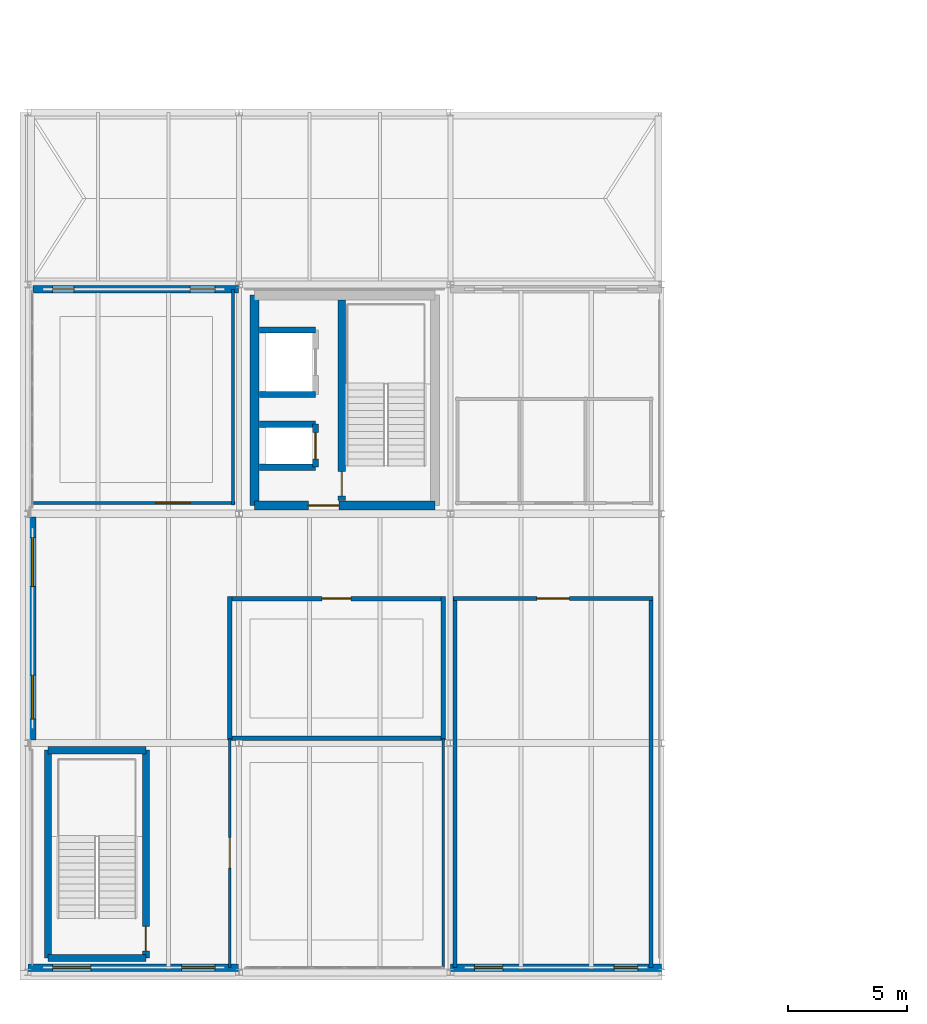
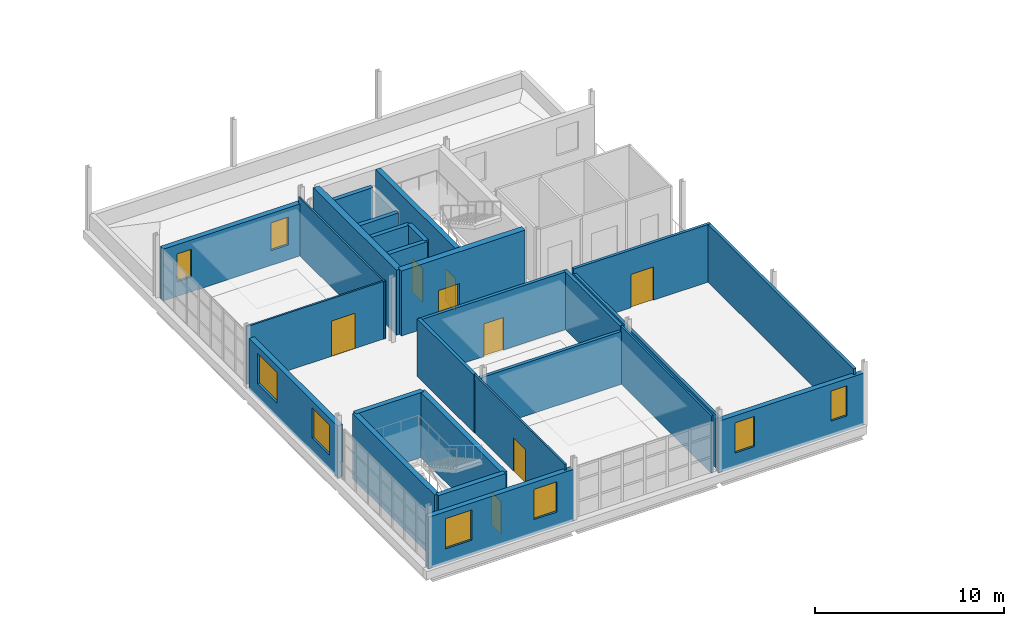
# One storey, part 21 of 28: 27 walls, 8 doors, 8 windows, 16 openings.
"""IFC4 building model written with IfcOpenShell, lengths in metres."""

import ifcopenshell
import ifcopenshell.guid

model = None  # the IFC model being written
_history = None  # IfcOwnerHistory: only IFC2X3 demands one
_inside = {}  # id of a spatial element -> (the spatial element, [elements in it])
_under = {}  # id of a project, library or spatial element -> (it, [spatial elements below it])
_declared = {}  # id of a project -> (the project, [libraries it declares])
_typed = {}  # id of a type object -> (the type object, [elements of that type])
_made_of = {}  # id of a material, layer set ... -> (it, [elements and type objects made of it])


def new_model(schema):
    """Start an empty IFC model of exactly this schema.

    Asked for "IFC4X3", IfcOpenShell would pick the latest addendum, in which some entities
    have other attributes; the version numbers below select the first issue.
    IFC2X3 requires an IfcOwnerHistory on every rooted entity: one is made here for all.
    """
    global model, _history
    if schema == "IFC4X3":
        model = ifcopenshell.file(schema_version=(4, 3, 0, 0))
    else:
        model = ifcopenshell.file(schema=schema)
    _inside.clear()
    _under.clear()
    _declared.clear()
    _typed.clear()
    _made_of.clear()
    _history = None
    if model.schema == "IFC2X3":
        org = make("IfcOrganization", Name="unknown")
        user = make(
            "IfcPersonAndOrganization",
            ThePerson=make("IfcPerson", FamilyName="unknown"),
            TheOrganization=org,
        )
        app = make(
            "IfcApplication",
            ApplicationDeveloper=org,
            Version="unknown",
            ApplicationFullName="unknown",
            ApplicationIdentifier="unknown",
        )
        _history = make(
            "IfcOwnerHistory",
            OwningUser=user,
            OwningApplication=app,
            ChangeAction="ADDED",
            CreationDate=0,
        )
    return model


def make(cls, **values):
    """One entity of the class cls with the attributes given. An attribute that is None is left unset."""
    return model.create_entity(
        cls, **{name: value for name, value in values.items() if value is not None}
    )


def rooted(cls, **values):
    """An entity with a GlobalId (a new one), such as an element, a storey or a relation."""
    return make(cls, GlobalId=ifcopenshell.guid.new(), OwnerHistory=_history, **values)


def si_unit(unit_type, name, prefix=None):
    """IfcSIUnit, for example si_unit("LENGTHUNIT", "METRE", prefix="MILLI")."""
    return make("IfcSIUnit", UnitType=unit_type, Prefix=prefix, Name=name)


def assignment(units):
    """IfcUnitAssignment: the units of a project."""
    return None if units is None else make("IfcUnitAssignment", Units=units)


def point(xyz):
    """IfcCartesianPoint."""
    return None if xyz is None else make("IfcCartesianPoint", Coordinates=xyz)


def direction(xyz):
    """IfcDirection."""
    return None if xyz is None else make("IfcDirection", DirectionRatios=xyz)


def frame(location, z_axis=None, x_axis=None):
    """IfcAxis2Placement3D, a coordinate frame: its origin and axes. An axis left out is left unset."""
    return make(
        "IfcAxis2Placement3D",
        Location=point(location),
        Axis=direction(z_axis),
        RefDirection=direction(x_axis),
    )


def frame_2d(location, x_axis=None):
    """IfcAxis2Placement2D, a coordinate frame in the plane: its origin and x axis."""
    return make(
        "IfcAxis2Placement2D", Location=point(location), RefDirection=direction(x_axis)
    )


def origin():
    """The frame at (0, 0, 0) with its axes left unset."""
    return frame((0.0, 0.0, 0.0))


def place(relative_to, where):
    """IfcLocalPlacement: puts the frame where relative to a parent placement (None: the world)."""
    return make(
        "IfcLocalPlacement", PlacementRelTo=relative_to, RelativePlacement=where
    )


def context(
    kind, dimensions, precision=None, world=None, true_north=None, identifier=None
):
    """IfcGeometricRepresentationContext, for example the 3D "Model" context."""
    return make(
        "IfcGeometricRepresentationContext",
        ContextIdentifier=identifier,
        ContextType=kind,
        CoordinateSpaceDimension=dimensions,
        Precision=precision,
        WorldCoordinateSystem=world,
        TrueNorth=true_north,
    )


def subcontext(parent, identifier, kind, view, scale=None):
    """IfcGeometricRepresentationSubContext, for example "Body" below "Model"."""
    return make(
        "IfcGeometricRepresentationSubContext",
        ContextIdentifier=identifier,
        ContextType=kind,
        ParentContext=parent,
        TargetScale=scale,
        TargetView=view,
    )


def project(units=None, contexts=None):
    """IfcProject with its units and contexts."""
    return rooted(
        "IfcProject",
        Name="project",
        RepresentationContexts=contexts,
        UnitsInContext=assignment(units),
    )


def spatial(cls, under=None, at=None, **own):
    """A site, building, storey or space (cls), placed at a placement, below another one or the project."""
    s = rooted(cls, ObjectPlacement=at, **own)
    if under is not None:
        _under.setdefault(under.id(), (under, []))[1].append(s)
    return s


def profile(cls, at=None, kind="AREA", **sizes):
    """A parametric profile (cls). Its sizes go by their IFC names, for example OverallWidth=200.0."""
    return make(cls, ProfileType=kind, Position=at, **sizes)


def rectangle(**sizes):
    """IfcRectangleProfileDef."""
    return profile("IfcRectangleProfileDef", **sizes)


def extrude(swept, where, along, depth):
    """IfcExtrudedAreaSolid: the profile swept, set in the frame where, extruded along a direction by depth."""
    return make(
        "IfcExtrudedAreaSolid",
        SweptArea=swept,
        Position=where,
        ExtrudedDirection=direction(along),
        Depth=depth,
    )


def shape(context_of_items, identifier, shape_type, items):
    """IfcShapeRepresentation: the items that make up one representation, for example the "Body"."""
    return make(
        "IfcShapeRepresentation",
        ContextOfItems=context_of_items,
        RepresentationIdentifier=identifier,
        RepresentationType=shape_type,
        Items=items,
    )


def material(Name=None, Category=None):
    """IfcMaterial."""
    return make("IfcMaterial", Name=Name, Category=Category)


def layer(
    of_material, thickness, ventilated=None, Name=None, Category=None, Priority=None
):
    """IfcMaterialLayer: one layer of a wall or slab, of a material (None: an air gap)."""
    return make(
        "IfcMaterialLayer",
        Material=of_material,
        LayerThickness=thickness,
        IsVentilated=ventilated,
        Name=Name,
        Category=Category,
        Priority=Priority,
    )


def layer_set(layers, Name=None):
    """IfcMaterialLayerSet."""
    return make("IfcMaterialLayerSet", MaterialLayers=layers, LayerSetName=Name)


def made_of(thing, what):
    """Note that an element or type object is made of a material, layer set ...; save() writes the relation."""
    if what is not None:
        _made_of.setdefault(what.id(), (what, []))[1].append(thing)
    return thing


def type_object(cls, material=None, **own):
    """A type object (cls), such as IfcWallType, which elements share."""
    return made_of(rooted(cls, **own), material)


def element(
    cls,
    number,
    at=None,
    inside=None,
    cuts=None,
    type_object=None,
    material=None,
    context=None,
    identifier="Body",
    shape_type=None,
    held_by="IfcProductDefinitionShape",
    body=None,
    shapes=None,
    **own,
):
    """One element of the class cls, such as IfcWall. Its Tag is "e" and its number.

    at: its placement. inside: the storey or other place that contains it. cuts: it is an
    opening in that element (IfcRelVoidsElement). A single representation is given by context,
    identifier, shape_type and body (its items); several are given by shapes. held_by: the class
    of the entity that holds the representations. save() writes the other relations.
    """
    e = rooted(cls, Tag="e%d" % number, ObjectPlacement=at, **own)
    if body is not None:
        shapes = [shape(context, identifier, shape_type, body)]
    if shapes is not None:
        e.Representation = make(held_by, Representations=shapes)
    if inside is not None:
        _inside.setdefault(inside.id(), (inside, []))[1].append(e)
    if cuts is not None:
        rooted(
            "IfcRelVoidsElement", RelatingBuildingElement=cuts, RelatedOpeningElement=e
        )
    if type_object is not None:
        _typed.setdefault(type_object.id(), (type_object, []))[1].append(e)
    return made_of(e, material)


def fill(opening, filler):
    """IfcRelFillsElement: the door or window that sits in an opening."""
    return rooted(
        "IfcRelFillsElement",
        RelatingOpeningElement=opening,
        RelatedBuildingElement=filler,
    )


def aggregate(whole, parts):
    """IfcRelAggregates: a whole, such as a stair, and the parts it consists of."""
    return rooted("IfcRelAggregates", RelatingObject=whole, RelatedObjects=parts)


def save(model, path):
    """Write the relations noted so far, then the file.

    IfcRelAggregates (storeys below a building ...), IfcRelContainedInSpatialStructure (elements
    in a storey), IfcRelDefinesByType, IfcRelAssociatesMaterial and IfcRelDeclares: one each for
    every whole, place, type object, material and project.
    """
    for whole, parts in _under.values():
        aggregate(whole, parts)
    for where, things in _inside.values():
        rooted(
            "IfcRelContainedInSpatialStructure",
            RelatedElements=things,
            RelatingStructure=where,
        )
    for kind, things in _typed.values():
        rooted("IfcRelDefinesByType", RelatedObjects=things, RelatingType=kind)
    for what, things in _made_of.values():
        rooted("IfcRelAssociatesMaterial", RelatedObjects=things, RelatingMaterial=what)
    for by, libraries in _declared.values():
        rooted("IfcRelDeclares", RelatingContext=by, RelatedDefinitions=libraries)
    model.write(path)


model = new_model("IFC4")

# Units and contexts
model_context = context("Model", 3, precision=1e-05, world=origin(), true_north=direction((0.0, 1.0)))
body_context = subcontext(model_context, "Body", "Model", "MODEL_VIEW")
ifc_project = project(units=[si_unit("LENGTHUNIT", "METRE"), si_unit("AREAUNIT", "SQUARE_METRE"), si_unit("VOLUMEUNIT", "CUBIC_METRE"), si_unit("PLANEANGLEUNIT", "RADIAN"), si_unit("MASSUNIT", "GRAM", prefix="KILO")], contexts=[model_context])

# Site, building, storey
site_placement = place(None, origin())
site = spatial("IfcSite", under=ifc_project, at=site_placement, CompositionType="ELEMENT")
building_placement = place(site_placement, origin())
building = spatial("IfcBuilding", under=site, at=building_placement, Name="Yeouljin Market Hall", CompositionType="ELEMENT")
storey_placement = place(building_placement, frame((0.0, 0.0, 15.0)))
storey = spatial("IfcBuildingStorey", under=building, at=storey_placement, Name="L03", CompositionType="ELEMENT", Elevation=15.0)

# Wall, opening, door
ifc_material_1 = material(Name="Gypsum Board Acoustic Partition")
ifc_layer_1 = layer(ifc_material_1, 0.169921875)
ifc_layer_set_1 = layer_set([ifc_layer_1], Name="Gypsum Board Acoustic Partition")
wall_type_1 = type_object("IfcWallType", Name="Part_Acoustic_170", PredefinedType="PARTITIONING", material=ifc_layer_set_1)
wall_1_placement = place(storey_placement, frame((26.179931640625, 15.64990234375, 0.0), z_axis=(0.0, 0.0, 1.0), x_axis=(-1.0, 0.0, 0.0)))
wall_1 = element("IfcWall", 1, at=wall_1_placement, inside=storey, type_object=wall_type_1, Name="Interior partition PART-L03-0162", PredefinedType="PARTITIONING", context=body_context, shape_type="SweptSolid", body=[
    extrude(rectangle(XDim=8.35986328125, YDim=0.169921875, at=frame_2d((4.179931640625, 0.0))), origin(), (0.0, 0.0, 1.0), 3.719970703125),
])
opening_1_placement = place(wall_1_placement, frame((3.5, 0.0, 0.0)))
opening_1 = element("IfcOpeningElement", 2, at=opening_1_placement, cuts=wall_1, Name="Opening D-L03-050", PredefinedType="OPENING", context=body_context, shape_type="SweptSolid", body=[
    extrude(rectangle(XDim=1.360107421875, YDim=2.14990234375, at=frame_2d((0.68017578125, 1.074951171875))), frame((0.0, 0.094970703125, 0.0), z_axis=(0.0, -1.0, 0.0), x_axis=(1.0, 0.0, 0.0)), (0.0, 0.0, 1.0), 0.18994140625),
])
ifc_material_2 = material(Name="Painted Fire-Rated Steel", Category="steel")
door_type_1 = type_object("IfcDoorType", Name="DT-FD136", OperationType="NOTDEFINED", PredefinedType="DOOR", material=ifc_material_2)
door_1_placement = place(opening_1_placement, origin())
door_1 = element("IfcDoor", 3, at=door_1_placement, inside=storey, type_object=door_type_1, Name="Interior door D-L03-050 (Cooking Classroom East)", OperationType="SINGLE_SWING_RIGHT", OverallHeight=2.14990234375, OverallWidth=1.360107421875, PredefinedType="DOOR", context=body_context, shape_type="SweptSolid", body=[
    extrude(rectangle(XDim=1.360107421875, YDim=2.14990234375, at=frame_2d((0.68017578125, 1.074951171875))), frame((0.0, 0.02490234375, 0.0), z_axis=(0.0, -1.0, 0.0), x_axis=(1.0, 0.0, 0.0)), (0.0, 0.0, 1.0), 0.050048828125),
])
fill(opening_1, door_1)

# Walls
wall_2_placement = place(storey_placement, frame((26.10009765625, 0.199951171875, 0.0), z_axis=(0.0, 0.0, 1.0), x_axis=(0.0, 1.0, 0.0)))
element("IfcWall", 4, at=wall_2_placement, inside=storey, type_object=wall_type_1, Name="Interior partition PART-L03-0163", PredefinedType="PARTITIONING", context=body_context, shape_type="SweptSolid", body=[
    extrude(rectangle(XDim=15.530029296875, YDim=0.169921875, at=frame_2d((7.76513671875, 0.0))), origin(), (0.0, 0.0, 1.0), 3.719970703125),
])
wall_3_placement = place(storey_placement, frame((17.89990234375, 15.72998046875, 0.0), z_axis=(0.0, 0.0, 1.0), x_axis=(0.0, -1.0, 0.0)))
element("IfcWall", 5, at=wall_3_placement, inside=storey, type_object=wall_type_1, Name="Interior partition PART-L03-0164", PredefinedType="PARTITIONING", context=body_context, shape_type="SweptSolid", body=[
    extrude(rectangle(XDim=15.530029296875, YDim=0.169921875, at=frame_2d((7.76513671875, 0.0))), origin(), (0.0, 0.0, 1.0), 3.39990234375),
])

# Wall, opening, door
ifc_material_3 = material(Name="Ceramic-Faced Acoustic Partition")
ifc_layer_2 = layer(ifc_material_3, 0.18994140625)
ifc_layer_set_2 = layer_set([ifc_layer_2], Name="Ceramic-Faced Acoustic Partition")
wall_type_2 = type_object("IfcWallType", Name="Part_KitchenTile_190", PredefinedType="PARTITIONING", material=ifc_layer_set_2)
wall_4_placement = place(storey_placement, frame((17.47998046875, 15.64990234375, 0.0), z_axis=(0.0, 0.0, 1.0), x_axis=(-1.0, 0.0, 0.0)))
wall_4 = element("IfcWall", 6, at=wall_4_placement, inside=storey, type_object=wall_type_2, Name="Interior partition PART-L03-0156", PredefinedType="PARTITIONING", context=body_context, shape_type="SweptSolid", body=[
    extrude(rectangle(XDim=9.10009765625, YDim=0.18994140625, at=frame_2d((4.550048828125, 0.0))), origin(), (0.0, 0.0, 1.0), 3.719970703125),
])
opening_2_placement = place(wall_4_placement, frame((3.949951171875, 0.0, 0.0)))
opening_2 = element("IfcOpeningElement", 7, at=opening_2_placement, cuts=wall_4, Name="Opening D-L03-048", PredefinedType="OPENING", context=body_context, shape_type="SweptSolid", body=[
    extrude(rectangle(XDim=1.199951171875, YDim=2.10009765625, at=frame_2d((0.60009765625, 1.050048828125))), frame((0.0, 0.10498046875, 0.0), z_axis=(0.0, -1.0, 0.0), x_axis=(1.0, 0.0, 0.0)), (0.0, 0.0, 1.0), 0.2099609375),
])
ifc_material_4 = material(Name="Painted Fire-Rated Steel", Category="steel")
door_type_2 = type_object("IfcDoorType", Name="DT-FD120", OperationType="NOTDEFINED", PredefinedType="DOOR", material=ifc_material_4)
door_2_placement = place(opening_2_placement, origin())
door_2 = element("IfcDoor", 8, at=door_2_placement, inside=storey, type_object=door_type_2, Name="Interior door D-L03-048 (Cooking Classroom North)", OperationType="SINGLE_SWING_RIGHT", OverallHeight=2.10009765625, OverallWidth=1.199951171875, PredefinedType="DOOR", context=body_context, shape_type="SweptSolid", body=[
    extrude(rectangle(XDim=1.199951171875, YDim=2.10009765625, at=frame_2d((0.60009765625, 1.050048828125))), frame((0.0, 0.02490234375, 0.0), z_axis=(0.0, -1.0, 0.0), x_axis=(1.0, 0.0, 0.0)), (0.0, 0.0, 1.0), 0.050048828125),
])
fill(opening_2, door_2)

# Walls
for number, where, z_axis, x_axis, name in (
    (9, (8.4599609375, 15.72998046875, 0.0), (0.0, 0.0, 1.0), (0.0, -1.0, 0.0), "Interior partition PART-L03-0157"),
    (10, (17.39990234375, 9.719970703125, 0.0), (0.0, 0.0, 1.0), (0.0, 1.0, 0.0), "Interior partition PART-L03-0158"),
):
    element("IfcWall", number, at=place(storey_placement, frame(where, z_axis=z_axis, x_axis=x_axis)), inside=storey, type_object=wall_type_2, Name=name, PredefinedType="PARTITIONING", context=body_context, shape_type="SweptSolid", body=[
        extrude(rectangle(XDim=6.010009765625, YDim=0.18994140625, at=frame_2d((3.0048828125, 0.0))), origin(), (0.0, 0.0, 1.0), 3.719970703125),
    ])
wall_5_placement = place(storey_placement, frame((8.3798828125, 9.800048828125, 0.0), z_axis=(0.0, 0.0, 1.0), x_axis=(1.0, 0.0, 0.0)))
element("IfcWall", 11, at=wall_5_placement, inside=storey, type_object=wall_type_2, Name="Interior partition PART-L03-0159", PredefinedType="PARTITIONING", context=body_context, shape_type="SweptSolid", body=[
    extrude(rectangle(XDim=9.10009765625, YDim=0.18994140625, at=frame_2d((4.550048828125, 0.0))), origin(), (0.0, 0.0, 1.0), 3.412109375),
])

# Wall, opening, door
ifc_material_5 = material(Name="Gypsum Board Partition")
ifc_layer_3 = layer(ifc_material_5, 0.110107421875)
ifc_layer_set_3 = layer_set([ifc_layer_3], Name="Gypsum Board Partition")
wall_type_3 = type_object("IfcWallType", Name="Part_Office_110", PredefinedType="PARTITIONING", material=ifc_layer_set_3)
wall_6_placement = place(storey_placement, frame((8.4599609375, 9.800048828125, 0.0), z_axis=(0.0, 0.0, 1.0), x_axis=(0.0, -1.0, 0.0)))
wall_6 = element("IfcWall", 12, at=wall_6_placement, inside=storey, type_object=wall_type_3, Name="Interior partition PART-L03-0160", PredefinedType="PARTITIONING", context=body_context, shape_type="SweptSolid", body=[
    extrude(rectangle(XDim=9.60009765625, YDim=0.110107421875, at=frame_2d((4.800048828125, 0.0))), origin(), (0.0, 0.0, 1.0), 3.719970703125),
])
opening_3_placement = place(wall_6_placement, frame((4.159912109375, 0.0, 0.0)))
opening_3 = element("IfcOpeningElement", 13, at=opening_3_placement, cuts=wall_6, Name="Opening D-L03-049", PredefinedType="OPENING", context=body_context, shape_type="SweptSolid", body=[
    extrude(rectangle(XDim=1.280029296875, YDim=2.14990234375, at=frame_2d((0.64013671875, 1.074951171875))), frame((0.0, 0.06494140625, 0.0), z_axis=(0.0, -1.0, 0.0), x_axis=(1.0, 0.0, 0.0)), (0.0, 0.0, 1.0), 0.130126953125),
])
ifc_material_6 = material(Name="Painted Fire-Rated Steel", Category="steel")
door_type_3 = type_object("IfcDoorType", Name="DT-FD128", OperationType="NOTDEFINED", PredefinedType="DOOR", material=ifc_material_6)
door_3_placement = place(opening_3_placement, origin())
door_3 = element("IfcDoor", 14, at=door_3_placement, inside=storey, type_object=door_type_3, Name="Interior door D-L03-049 (Culinary Lecture Auditorium)", OperationType="SINGLE_SWING_LEFT", OverallHeight=2.14990234375, OverallWidth=1.280029296875, PredefinedType="DOOR", context=body_context, shape_type="SweptSolid", body=[
    extrude(rectangle(XDim=1.280029296875, YDim=2.14990234375, at=frame_2d((0.64013671875, 1.074951171875))), frame((0.0, 0.02490234375, 0.0), z_axis=(0.0, -1.0, 0.0), x_axis=(1.0, 0.0, 0.0)), (0.0, 0.0, 1.0), 0.050048828125),
])
fill(opening_3, door_3)

# Wall
wall_7_placement = place(storey_placement, frame((17.39990234375, 0.199951171875, 0.0), z_axis=(0.0, 0.0, 1.0), x_axis=(0.0, 1.0, 0.0)))
element("IfcWall", 15, at=wall_7_placement, inside=storey, type_object=wall_type_3, Name="Interior partition PART-L03-0161", PredefinedType="PARTITIONING", context=body_context, shape_type="SweptSolid", body=[
    extrude(rectangle(XDim=9.60009765625, YDim=0.110107421875, at=frame_2d((4.800048828125, 0.0))), origin(), (0.0, 0.0, 1.0), 3.719970703125),
])

# Wall, opening, door
wall_8_placement = place(storey_placement, frame((0.199951171875, 19.64990234375, 0.0), z_axis=(0.0, 0.0, 1.0), x_axis=(1.0, 0.0, 0.0)))
wall_8 = element("IfcWall", 16, at=wall_8_placement, inside=storey, type_object=wall_type_3, Name="Interior partition PART-L03-0165", PredefinedType="PARTITIONING", context=body_context, shape_type="SweptSolid", body=[
    extrude(rectangle(XDim=8.47998046875, YDim=0.110107421875, at=frame_2d((4.239990234375, 0.0))), origin(), (0.0, 0.0, 1.0), 3.719970703125),
])
opening_4_placement = place(wall_8_placement, frame((5.169921875, 0.0, 0.0)))
opening_4 = element("IfcOpeningElement", 17, at=opening_4_placement, cuts=wall_8, Name="Opening D-L03-051", PredefinedType="OPENING", context=body_context, shape_type="SweptSolid", body=[
    extrude(rectangle(XDim=1.43994140625, YDim=2.280029296875, at=frame_2d((0.719970703125, 1.14013671875))), frame((0.0, 0.06494140625, 0.0), z_axis=(0.0, -1.0, 0.0), x_axis=(1.0, 0.0, 0.0)), (0.0, 0.0, 1.0), 0.130126953125),
])
ifc_material_7 = material(Name="Acoustic Timber Veneer", Category="wood")
door_type_4 = type_object("IfcDoorType", Name="DT-ID144H", OperationType="NOTDEFINED", PredefinedType="DOOR", material=ifc_material_7)
door_4_placement = place(opening_4_placement, origin())
door_4 = element("IfcDoor", 18, at=door_4_placement, inside=storey, type_object=door_type_4, Name="Interior door D-L03-051 (Market Guild Administration Office)", OperationType="SINGLE_SWING_LEFT", OverallHeight=2.280029296875, OverallWidth=1.43994140625, PredefinedType="DOOR", context=body_context, shape_type="SweptSolid", body=[
    extrude(rectangle(XDim=1.43994140625, YDim=2.280029296875, at=frame_2d((0.719970703125, 1.14013671875))), frame((0.0, 0.02490234375, 0.0), z_axis=(0.0, -1.0, 0.0), x_axis=(1.0, 0.0, 0.0)), (0.0, 0.0, 1.0), 0.050048828125),
])
fill(opening_4, door_4)

# Wall
wall_9_placement = place(storey_placement, frame((8.60009765625, 19.570068359375, 0.0), z_axis=(0.0, 0.0, 1.0), x_axis=(0.0, 1.0, 0.0)))
element("IfcWall", 19, at=wall_9_placement, inside=storey, type_object=wall_type_3, Name="Interior partition PART-L03-0166", PredefinedType="PARTITIONING", context=body_context, shape_type="SweptSolid", body=[
    extrude(rectangle(XDim=9.030029296875, YDim=0.110107421875, at=frame_2d((4.51513671875, 0.0))), origin(), (0.0, 0.0, 1.0), 3.719970703125),
])

# Wall, opening, door
ifc_material_8 = material(Name="Concrete C35/45", Category="concrete")
ifc_layer_4 = layer(ifc_material_8, 0.260009765625)
ifc_layer_set_4 = layer_set([ifc_layer_4], Name="Concrete C35/45")
wall_type_4 = type_object("IfcWallType", Name="Wall_Compartment_260", PredefinedType="SHEAR", material=ifc_layer_set_4)
wall_10_placement = place(storey_placement, frame((12.054931640625, 21.14990234375, 0.0), z_axis=(0.0, 0.0, 1.0), x_axis=(0.0, 1.0, 0.0)))
wall_10 = element("IfcWall", 20, at=wall_10_placement, inside=storey, type_object=wall_type_4, Name="Lift LP-01 hoistway front wall (L03)", PredefinedType="SHEAR", context=body_context, shape_type="SweptSolid", body=[
    extrude(rectangle(XDim=1.800048828125, YDim=0.260009765625, at=frame_2d((0.89990234375, 0.0))), origin(), (0.0, 0.0, 1.0), 4.199951171875),
])
opening_5_placement = place(wall_10_placement, frame((0.35009765625, 0.0, 0.0)))
opening_5 = element("IfcOpeningElement", 21, at=opening_5_placement, cuts=wall_10, Name="Opening LD-LP-01-L03", PredefinedType="OPENING", context=body_context, shape_type="SweptSolid", body=[
    extrude(rectangle(XDim=1.10009765625, YDim=2.14990234375, at=frame_2d((0.550048828125, 1.074951171875))), frame((0.0, 0.139892578125, 0.0), z_axis=(0.0, -1.0, 0.0), x_axis=(1.0, 0.0, 0.0)), (0.0, 0.0, 1.0), 0.280029296875),
])
ifc_material_9 = material(Name="Brushed Stainless Steel", Category="steel")
door_type_5 = type_object("IfcDoorType", Name="LD-110", OperationType="SLIDING_TO_LEFT", PredefinedType="DOOR", material=ifc_material_9)
door_5_placement = place(opening_5_placement, origin())
door_5 = element("IfcDoor", 22, at=door_5_placement, inside=storey, type_object=door_type_5, Name="Lift landing sliding door LD-LP-01-L03", OperationType="SLIDING_TO_LEFT", OverallHeight=2.14990234375, OverallWidth=1.10009765625, PredefinedType="DOOR", context=body_context, shape_type="SweptSolid", body=[
    extrude(rectangle(XDim=1.10009765625, YDim=2.14990234375, at=frame_2d((0.550048828125, 1.074951171875))), frame((0.0, 0.02490234375, 0.0), z_axis=(0.0, -1.0, 0.0), x_axis=(1.0, 0.0, 0.0)), (0.0, 0.0, 1.0), 0.050048828125),
])
fill(opening_5, door_5)

# Walls
for number, where, z_axis, x_axis, name in (
    (23, (9.699951171875, 21.14990234375, 0.0), (0.0, 0.0, 1.0), (1.0, 0.0, 0.0), "Lift LP-01 shaft cheek wall S (L03)"),
    (24, (9.699951171875, 22.949951171875, 0.0), (0.0, 0.0, 1.0), (1.0, 0.0, 0.0), "Lift LP-01 shaft cheek wall N (L03)"),
    (25, (9.699951171875, 24.199951171875, 0.0), (0.0, 0.0, 1.0), (1.0, 0.0, 0.0), "Lift LS-01 shaft cheek wall S (L03)"),
    (26, (9.699951171875, 26.89990234375, 0.0), (0.0, 0.0, 1.0), (1.0, 0.0, 0.0), "Lift LS-01 shaft cheek wall N (L03)"),
):
    element("IfcWall", number, at=place(storey_placement, frame(where, z_axis=z_axis, x_axis=x_axis)), inside=storey, type_object=wall_type_4, Name=name, PredefinedType="SHEAR", context=body_context, shape_type="SweptSolid", body=[
        extrude(rectangle(XDim=2.35498046875, YDim=0.260009765625, at=frame_2d((1.177490234375, 0.0))), origin(), (0.0, 0.0, 1.0), 4.199951171875),
    ])

# Wall, opening, door
ifc_material_10 = material(Name="Concrete C35/45", Category="concrete")
ifc_layer_5 = layer(ifc_material_10, 0.3798828125)
ifc_layer_set_5 = layer_set([ifc_layer_5], Name="Concrete C35/45")
wall_type_5 = type_object("IfcWallType", Name="Wall_CoreShear_380", PredefinedType="SHEAR", material=ifc_layer_set_5)
wall_11_placement = place(storey_placement, frame((9.5, 19.550048828125, 0.0), z_axis=(0.0, 0.0, 1.0), x_axis=(1.0, 0.0, 0.0)))
wall_11 = element("IfcWall", 27, at=wall_11_placement, inside=storey, type_object=wall_type_5, Name="Core C1 south shear wall (L03)", PredefinedType="SHEAR", context=body_context, shape_type="SweptSolid", body=[
    extrude(rectangle(XDim=7.550048828125, YDim=0.3798828125, at=frame_2d((3.77490234375, 0.0))), origin(), (0.0, 0.0, 1.0), 4.199951171875),
])
opening_6_placement = place(wall_11_placement, frame((2.25, 0.0, 0.0)))
opening_6 = element("IfcOpeningElement", 28, at=opening_6_placement, cuts=wall_11, Name="Opening FD-C1-L03-01", PredefinedType="OPENING", context=body_context, shape_type="SweptSolid", body=[
    extrude(rectangle(XDim=1.280029296875, YDim=2.14990234375, at=frame_2d((0.64013671875, 1.074951171875))), frame((0.0, 0.199951171875, 0.0), z_axis=(0.0, -1.0, 0.0), x_axis=(1.0, 0.0, 0.0)), (0.0, 0.0, 1.0), 0.39990234375),
])
door_6_placement = place(opening_6_placement, origin())
door_6 = element("IfcDoor", 29, at=door_6_placement, inside=storey, type_object=door_type_3, Name="Core C1 lobby fire door (L03)", OperationType="SINGLE_SWING_LEFT", OverallHeight=2.14990234375, OverallWidth=1.280029296875, PredefinedType="DOOR", context=body_context, shape_type="SweptSolid", body=[
    extrude(rectangle(XDim=1.280029296875, YDim=2.14990234375, at=frame_2d((0.64013671875, 1.074951171875))), frame((0.0, 0.02490234375, 0.0), z_axis=(0.0, -1.0, 0.0), x_axis=(1.0, 0.0, 0.0)), (0.0, 0.0, 1.0), 0.050048828125),
])
fill(opening_6, door_6)

# Wall
wall_12_placement = place(storey_placement, frame((9.5, 28.35009765625, 0.0), z_axis=(0.0, 0.0, 1.0), x_axis=(0.0, -1.0, 0.0)))
element("IfcWall", 30, at=wall_12_placement, inside=storey, type_object=wall_type_5, Name="Core C1 west shear wall (L03)", PredefinedType="SHEAR", context=body_context, shape_type="SweptSolid", body=[
    extrude(rectangle(XDim=8.800048828125, YDim=0.3798828125, at=frame_2d((4.39990234375, 0.0))), origin(), (0.0, 0.0, 1.0), 4.199951171875),
])

# Wall, openings, windows
ifc_material_11 = material(Name="Clinker Brick Masonry F2-S2", Category="masonry")
ifc_layer_6 = layer(ifc_material_11, 0.31005859375)
ifc_layer_set_6 = layer_set([ifc_layer_6], Name="Clinker Brick Masonry F2-S2")
wall_type_6 = type_object("IfcWallType", Name="Wall_Ext_ClinkerSawtooth_310", PredefinedType="SOLIDWALL", material=ifc_layer_set_6)
wall_13_placement = place(storey_placement, frame((26.5380859375, 0.199951171875, 0.0), z_axis=(0.0, 0.0, 1.0), x_axis=(-1.0, 0.0, 0.0)))
wall_13 = element("IfcWall", 31, at=wall_13_placement, inside=storey, type_object=wall_type_6, Name="Exterior wall WE-L03-B01", PredefinedType="SOLIDWALL", context=body_context, shape_type="SweptSolid", body=[
    extrude(rectangle(XDim=8.826171875, YDim=0.31005859375, at=frame_2d((4.4130859375, 0.0))), origin(), (0.0, 0.0, 1.0), 3.35009765625),
])
opening_7_placement = place(wall_13_placement, frame((0.988037109375, 0.0, 0.949951171875)))
opening_7 = element("IfcOpeningElement", 32, at=opening_7_placement, cuts=wall_13, Name="Opening WN-47", PredefinedType="OPENING", context=body_context, shape_type="SweptSolid", body=[
    extrude(rectangle(XDim=1.0, YDim=1.949951171875, at=frame_2d((0.5, 0.97509765625))), frame((0.0, 0.1650390625, 0.0), z_axis=(0.0, -1.0, 0.0), x_axis=(1.0, 0.0, 0.0)), (0.0, 0.0, 1.0), 0.330078125),
])
opening_8_placement = place(wall_13_placement, frame((6.637939453125, 0.0, 0.949951171875)))
opening_8 = element("IfcOpeningElement", 33, at=opening_8_placement, cuts=wall_13, Name="Opening WN-48", PredefinedType="OPENING", context=body_context, shape_type="SweptSolid", body=[
    extrude(rectangle(XDim=1.199951171875, YDim=1.949951171875, at=frame_2d((0.60009765625, 0.97509765625))), frame((0.0, 0.1650390625, 0.0), z_axis=(0.0, -1.0, 0.0), x_axis=(1.0, 0.0, 0.0)), (0.0, 0.0, 1.0), 0.330078125),
])
ifc_material_12 = material(Name="Low-E Insulated Glass", Category="glass")
window_type_1 = type_object("IfcWindowType", Name="Win_Ladder_1000x1950", PartitioningType="DOUBLE_PANEL_HORIZONTAL", PredefinedType="WINDOW", material=ifc_material_12)
window_1_placement = place(opening_7_placement, origin())
window_1 = element("IfcWindow", 34, at=window_1_placement, inside=storey, type_object=window_type_1, Name="Exterior window WIN-L03-B01A", OverallHeight=1.949951171875, OverallWidth=1.0, PartitioningType="SINGLE_PANEL", PredefinedType="WINDOW", context=body_context, shape_type="SweptSolid", body=[
    extrude(rectangle(XDim=1.0, YDim=1.949951171875, at=frame_2d((0.5, 0.97509765625))), frame((0.0, 0.030029296875, 0.0), z_axis=(0.0, -1.0, 0.0), x_axis=(1.0, 0.0, 0.0)), (0.0, 0.0, 1.0), 0.06005859375),
])
fill(opening_7, window_1)
ifc_material_13 = material(Name="Low-E Insulated Glass", Category="glass")
window_type_2 = type_object("IfcWindowType", Name="Win_Ladder_1200x1950", PartitioningType="DOUBLE_PANEL_HORIZONTAL", PredefinedType="WINDOW", material=ifc_material_13)
window_2_placement = place(opening_8_placement, origin())
window_2 = element("IfcWindow", 35, at=window_2_placement, inside=storey, type_object=window_type_2, Name="Exterior window WIN-L03-B01B", OverallHeight=1.949951171875, OverallWidth=1.199951171875, PartitioningType="SINGLE_PANEL", PredefinedType="WINDOW", context=body_context, shape_type="SweptSolid", body=[
    extrude(rectangle(XDim=1.199951171875, YDim=1.949951171875, at=frame_2d((0.60009765625, 0.97509765625))), frame((0.0, 0.030029296875, 0.0), z_axis=(0.0, -1.0, 0.0), x_axis=(1.0, 0.0, 0.0)), (0.0, 0.0, 1.0), 0.06005859375),
])
fill(opening_8, window_2)

wall_14_placement = place(storey_placement, frame((8.837890625, 0.199951171875, 0.0), z_axis=(0.0, 0.0, 1.0), x_axis=(-1.0, 0.0, 0.0)))
wall_14 = element("IfcWall", 36, at=wall_14_placement, inside=storey, type_object=wall_type_6, Name="Exterior wall WE-L03-B03", PredefinedType="SOLIDWALL", context=body_context, shape_type="SweptSolid", body=[
    extrude(rectangle(XDim=8.825927734375, YDim=0.31005859375, at=frame_2d((4.4130859375, 0.0))), origin(), (0.0, 0.0, 1.0), 3.35009765625),
])
opening_9_placement = place(wall_14_placement, frame((0.988037109375, 0.0, 0.949951171875)))
opening_9 = element("IfcOpeningElement", 37, at=opening_9_placement, cuts=wall_14, Name="Opening WN-49", PredefinedType="OPENING", context=body_context, shape_type="SweptSolid", body=[
    extrude(rectangle(XDim=1.39990234375, YDim=1.949951171875, at=frame_2d((0.699951171875, 0.97509765625))), frame((0.0, 0.1650390625, 0.0), z_axis=(0.0, -1.0, 0.0), x_axis=(1.0, 0.0, 0.0)), (0.0, 0.0, 1.0), 0.330078125),
])
opening_10_placement = place(wall_14_placement, frame((6.18798828125, 0.0, 0.949951171875)))
opening_10 = element("IfcOpeningElement", 38, at=opening_10_placement, cuts=wall_14, Name="Opening WN-50", PredefinedType="OPENING", context=body_context, shape_type="SweptSolid", body=[
    extrude(rectangle(XDim=1.60009765625, YDim=1.949951171875, at=frame_2d((0.800048828125, 0.97509765625))), frame((0.0, 0.1650390625, 0.0), z_axis=(0.0, -1.0, 0.0), x_axis=(1.0, 0.0, 0.0)), (0.0, 0.0, 1.0), 0.330078125),
])
ifc_material_14 = material(Name="Low-E Insulated Glass", Category="glass")
window_type_3 = type_object("IfcWindowType", Name="Win_Ladder_1400x1950", PartitioningType="DOUBLE_PANEL_HORIZONTAL", PredefinedType="WINDOW", material=ifc_material_14)
window_3_placement = place(opening_9_placement, origin())
window_3 = element("IfcWindow", 39, at=window_3_placement, inside=storey, type_object=window_type_3, Name="Exterior window WIN-L03-B03A", OverallHeight=1.949951171875, OverallWidth=1.39990234375, PartitioningType="SINGLE_PANEL", PredefinedType="WINDOW", context=body_context, shape_type="SweptSolid", body=[
    extrude(rectangle(XDim=1.39990234375, YDim=1.949951171875, at=frame_2d((0.699951171875, 0.97509765625))), frame((0.0, 0.030029296875, 0.0), z_axis=(0.0, -1.0, 0.0), x_axis=(1.0, 0.0, 0.0)), (0.0, 0.0, 1.0), 0.06005859375),
])
fill(opening_9, window_3)
ifc_material_15 = material(Name="Low-E Insulated Glass", Category="glass")
window_type_4 = type_object("IfcWindowType", Name="Win_Ladder_1600x1950", PartitioningType="DOUBLE_PANEL_HORIZONTAL", PredefinedType="WINDOW", material=ifc_material_15)
window_4_placement = place(opening_10_placement, origin())
window_4 = element("IfcWindow", 40, at=window_4_placement, inside=storey, type_object=window_type_4, Name="Exterior window WIN-L03-B03B", OverallHeight=1.949951171875, OverallWidth=1.60009765625, PartitioningType="SINGLE_PANEL", PredefinedType="WINDOW", context=body_context, shape_type="SweptSolid", body=[
    extrude(rectangle(XDim=1.60009765625, YDim=1.949951171875, at=frame_2d((0.800048828125, 0.97509765625))), frame((0.0, 0.030029296875, 0.0), z_axis=(0.0, -1.0, 0.0), x_axis=(1.0, 0.0, 0.0)), (0.0, 0.0, 1.0), 0.06005859375),
])
fill(opening_10, window_4)

wall_15_placement = place(storey_placement, frame((0.199951171875, 9.73193359375, 0.0), z_axis=(0.0, 0.0, 1.0), x_axis=(0.0, 1.0, 0.0)))
wall_15 = element("IfcWall", 41, at=wall_15_placement, inside=storey, type_object=wall_type_6, Name="Exterior wall WE-L03-B05", PredefinedType="SOLIDWALL", context=body_context, shape_type="SweptSolid", body=[
    extrude(rectangle(XDim=9.336181640625, YDim=0.31005859375, at=frame_2d((4.66796875, 0.0))), origin(), (0.0, 0.0, 1.0), 3.35009765625),
])
opening_11_placement = place(wall_15_placement, frame((0.867919921875, 0.0, 0.949951171875)))
opening_11 = element("IfcOpeningElement", 42, at=opening_11_placement, cuts=wall_15, Name="Opening WN-51", PredefinedType="OPENING", context=body_context, shape_type="SweptSolid", body=[
    extrude(rectangle(XDim=1.85009765625, YDim=1.949951171875, at=frame_2d((0.925048828125, 0.97509765625))), frame((0.0, 0.1650390625, 0.0), z_axis=(0.0, -1.0, 0.0), x_axis=(1.0, 0.0, 0.0)), (0.0, 0.0, 1.0), 0.330078125),
])
opening_12_placement = place(wall_15_placement, frame((6.41796875, 0.0, 0.949951171875)))
opening_12 = element("IfcOpeningElement", 43, at=opening_12_placement, cuts=wall_15, Name="Opening WN-52", PredefinedType="OPENING", context=body_context, shape_type="SweptSolid", body=[
    extrude(rectangle(XDim=2.050048828125, YDim=1.949951171875, at=frame_2d((1.02490234375, 0.97509765625))), frame((0.0, 0.1650390625, 0.0), z_axis=(0.0, -1.0, 0.0), x_axis=(1.0, 0.0, 0.0)), (0.0, 0.0, 1.0), 0.330078125),
])
ifc_material_16 = material(Name="Low-E Insulated Glass", Category="glass")
window_type_5 = type_object("IfcWindowType", Name="Win_Ladder_1850x1950", PartitioningType="TRIPLE_PANEL_VERTICAL", PredefinedType="WINDOW", material=ifc_material_16)
window_5_placement = place(opening_11_placement, origin())
window_5 = element("IfcWindow", 44, at=window_5_placement, inside=storey, type_object=window_type_5, Name="Exterior window WIN-L03-B05A", OverallHeight=1.949951171875, OverallWidth=1.85009765625, PartitioningType="SINGLE_PANEL", PredefinedType="WINDOW", context=body_context, shape_type="SweptSolid", body=[
    extrude(rectangle(XDim=1.85009765625, YDim=1.949951171875, at=frame_2d((0.925048828125, 0.97509765625))), frame((0.0, 0.030029296875, 0.0), z_axis=(0.0, -1.0, 0.0), x_axis=(1.0, 0.0, 0.0)), (0.0, 0.0, 1.0), 0.06005859375),
])
fill(opening_11, window_5)
ifc_material_17 = material(Name="Low-E Insulated Glass", Category="glass")
window_type_6 = type_object("IfcWindowType", Name="Win_Ladder_2050x1950", PartitioningType="TRIPLE_PANEL_VERTICAL", PredefinedType="WINDOW", material=ifc_material_17)
window_6_placement = place(opening_12_placement, origin())
window_6 = element("IfcWindow", 45, at=window_6_placement, inside=storey, type_object=window_type_6, Name="Exterior window WIN-L03-B05B", OverallHeight=1.949951171875, OverallWidth=2.050048828125, PartitioningType="SINGLE_PANEL", PredefinedType="WINDOW", context=body_context, shape_type="SweptSolid", body=[
    extrude(rectangle(XDim=2.050048828125, YDim=1.949951171875, at=frame_2d((1.02490234375, 0.97509765625))), frame((0.0, 0.030029296875, 0.0), z_axis=(0.0, -1.0, 0.0), x_axis=(1.0, 0.0, 0.0)), (0.0, 0.0, 1.0), 0.06005859375),
])
fill(opening_12, window_6)

wall_16_placement = place(storey_placement, frame((0.22802734375, 28.60009765625, 0.0), z_axis=(0.0, 0.0, 1.0), x_axis=(1.0, 0.0, 0.0)))
wall_16 = element("IfcWall", 46, at=wall_16_placement, inside=storey, type_object=wall_type_6, Name="Exterior wall WE-L03-B07", PredefinedType="SOLIDWALL", context=body_context, shape_type="SweptSolid", body=[
    extrude(rectangle(XDim=8.60986328125, YDim=0.31005859375, at=frame_2d((4.304931640625, 0.0))), origin(), (0.0, 0.0, 1.0), 3.35009765625),
])
opening_13_placement = place(wall_16_placement, frame((0.822021484375, 0.0, 0.949951171875)))
opening_13 = element("IfcOpeningElement", 47, at=opening_13_placement, cuts=wall_16, Name="Opening WN-01", PredefinedType="OPENING", context=body_context, shape_type="SweptSolid", body=[
    extrude(rectangle(XDim=0.89990234375, YDim=1.800048828125, at=frame_2d((0.449951171875, 0.89990234375))), frame((0.0, 0.1650390625, 0.0), z_axis=(0.0, -1.0, 0.0), x_axis=(1.0, 0.0, 0.0)), (0.0, 0.0, 1.0), 0.330078125),
])
opening_14_placement = place(wall_16_placement, frame((6.572021484375, 0.0, 0.949951171875)))
opening_14 = element("IfcOpeningElement", 48, at=opening_14_placement, cuts=wall_16, Name="Opening WN-02", PredefinedType="OPENING", context=body_context, shape_type="SweptSolid", body=[
    extrude(rectangle(XDim=1.050048828125, YDim=1.800048828125, at=frame_2d((0.52490234375, 0.89990234375))), frame((0.0, 0.1650390625, 0.0), z_axis=(0.0, -1.0, 0.0), x_axis=(1.0, 0.0, 0.0)), (0.0, 0.0, 1.0), 0.330078125),
])
ifc_material_18 = material(Name="Low-E Insulated Glass", Category="glass")
window_type_7 = type_object("IfcWindowType", Name="Win_Ladder_1050x1800", PartitioningType="DOUBLE_PANEL_HORIZONTAL", PredefinedType="WINDOW", material=ifc_material_18)
window_7_placement = place(opening_14_placement, origin())
window_7 = element("IfcWindow", 49, at=window_7_placement, inside=storey, type_object=window_type_7, Name="Exterior window WIN-L03-B07B", OverallHeight=1.800048828125, OverallWidth=1.050048828125, PartitioningType="SINGLE_PANEL", PredefinedType="WINDOW", context=body_context, shape_type="SweptSolid", body=[
    extrude(rectangle(XDim=1.050048828125, YDim=1.800048828125, at=frame_2d((0.52490234375, 0.89990234375))), frame((0.0, 0.030029296875, 0.0), z_axis=(0.0, -1.0, 0.0), x_axis=(1.0, 0.0, 0.0)), (0.0, 0.0, 1.0), 0.06005859375),
])
fill(opening_14, window_7)
ifc_material_19 = material(Name="Low-E Insulated Glass", Category="glass")
window_type_8 = type_object("IfcWindowType", Name="Win_Ladder_900x1800", PartitioningType="DOUBLE_PANEL_HORIZONTAL", PredefinedType="WINDOW", material=ifc_material_19)
window_8_placement = place(opening_13_placement, origin())
window_8 = element("IfcWindow", 50, at=window_8_placement, inside=storey, type_object=window_type_8, Name="Exterior window WIN-L03-B07A", OverallHeight=1.800048828125, OverallWidth=0.89990234375, PartitioningType="SINGLE_PANEL", PredefinedType="WINDOW", context=body_context, shape_type="SweptSolid", body=[
    extrude(rectangle(XDim=0.89990234375, YDim=1.800048828125, at=frame_2d((0.449951171875, 0.89990234375))), frame((0.0, 0.030029296875, 0.0), z_axis=(0.0, -1.0, 0.0), x_axis=(1.0, 0.0, 0.0)), (0.0, 0.0, 1.0), 0.06005859375),
])
fill(opening_13, window_8)

# Wall, opening, door
ifc_material_20 = material(Name="Concrete C35/45", Category="concrete")
ifc_layer_7 = layer(ifc_material_20, 0.300048828125)
ifc_layer_set_7 = layer_set([ifc_layer_7], Name="Concrete C35/45")
wall_type_7 = type_object("IfcWallType", Name="Wall_ShaftShear_300", PredefinedType="SHEAR", material=ifc_layer_set_7)
wall_17_placement = place(storey_placement, frame((13.14990234375, 19.75, 0.0), z_axis=(0.0, 0.0, 1.0), x_axis=(0.0, 1.0, 0.0)))
wall_17 = element("IfcWall", 51, at=wall_17_placement, inside=storey, type_object=wall_type_7, Name="Core C1 stairwell divider wall (L03)", PredefinedType="SHEAR", context=body_context, shape_type="SweptSolid", body=[
    extrude(rectangle(XDim=8.39990234375, YDim=0.300048828125, at=frame_2d((4.199951171875, 0.0))), origin(), (0.0, 0.0, 1.0), 4.199951171875),
])
opening_15_placement = place(wall_17_placement, frame((0.199951171875, 0.0, 0.0)))
opening_15 = element("IfcOpeningElement", 52, at=opening_15_placement, cuts=wall_17, Name="Opening SD-C1-L03", PredefinedType="OPENING", context=body_context, shape_type="SweptSolid", body=[
    extrude(rectangle(XDim=1.02001953125, YDim=2.10009765625, at=frame_2d((0.510009765625, 1.050048828125))), frame((0.0, 0.159912109375, 0.0), z_axis=(0.0, -1.0, 0.0), x_axis=(1.0, 0.0, 0.0)), (0.0, 0.0, 1.0), 0.320068359375),
])
ifc_material_21 = material(Name="Painted Fire-Rated Steel", Category="steel")
door_type_6 = type_object("IfcDoorType", Name="DT-FD102", OperationType="NOTDEFINED", PredefinedType="DOOR", material=ifc_material_21)
door_7_placement = place(opening_15_placement, origin())
door_7 = element("IfcDoor", 53, at=door_7_placement, inside=storey, type_object=door_type_6, Name="Core C1 exit stair door (L03)", OperationType="SINGLE_SWING_RIGHT", OverallHeight=2.10009765625, OverallWidth=1.02001953125, PredefinedType="DOOR", context=body_context, shape_type="SweptSolid", body=[
    extrude(rectangle(XDim=1.02001953125, YDim=2.10009765625, at=frame_2d((0.510009765625, 1.050048828125))), frame((0.0, 0.02490234375, 0.0), z_axis=(0.0, -1.0, 0.0), x_axis=(1.0, 0.0, 0.0)), (0.0, 0.0, 1.0), 0.050048828125),
])
fill(opening_15, door_7)

# Walls
for number, where, z_axis, x_axis, name in (
    (54, (0.85009765625, 0.60009765625, 0.0), (0.0, 0.0, 1.0), (1.0, 0.0, 0.0), "Core S7 south shear wall (L03)"),
    (55, (4.949951171875, 9.300048828125, 0.0), (0.0, 0.0, 1.0), (-1.0, 0.0, 0.0), "Core S7 north shear wall (L03)"),
):
    element("IfcWall", number, at=place(storey_placement, frame(where, z_axis=z_axis, x_axis=x_axis)), inside=storey, type_object=wall_type_7, Name=name, PredefinedType="SHEAR", context=body_context, shape_type="SweptSolid", body=[
        extrude(rectangle(XDim=4.099853515625, YDim=0.300048828125, at=frame_2d((2.0498046875, 0.0))), origin(), (0.0, 0.0, 1.0), 4.199951171875),
    ])
wall_18_placement = place(storey_placement, frame((0.85009765625, 9.300048828125, 0.0), z_axis=(0.0, 0.0, 1.0), x_axis=(0.0, -1.0, 0.0)))
element("IfcWall", 56, at=wall_18_placement, inside=storey, type_object=wall_type_7, Name="Core S7 west shear wall (L03)", PredefinedType="SHEAR", context=body_context, shape_type="SweptSolid", body=[
    extrude(rectangle(XDim=8.699951171875, YDim=0.300048828125, at=frame_2d((4.35009765625, 0.0))), origin(), (0.0, 0.0, 1.0), 4.199951171875),
])

# Wall, opening, door
wall_19_placement = place(storey_placement, frame((4.949951171875, 0.60009765625, 0.0), z_axis=(0.0, 0.0, 1.0), x_axis=(0.0, 1.0, 0.0)))
wall_19 = element("IfcWall", 57, at=wall_19_placement, inside=storey, type_object=wall_type_7, Name="Core S7 east shear wall (L03)", PredefinedType="SHEAR", context=body_context, shape_type="SweptSolid", body=[
    extrude(rectangle(XDim=8.699951171875, YDim=0.300048828125, at=frame_2d((4.35009765625, 0.0))), origin(), (0.0, 0.0, 1.0), 4.199951171875),
])
opening_16_placement = place(wall_19_placement, frame((0.300048828125, 0.0, 0.0)))
opening_16 = element("IfcOpeningElement", 58, at=opening_16_placement, cuts=wall_19, Name="Opening SD-S7-L03", PredefinedType="OPENING", context=body_context, shape_type="SweptSolid", body=[
    extrude(rectangle(XDim=1.02001953125, YDim=2.10009765625, at=frame_2d((0.510009765625, 1.050048828125))), frame((0.0, 0.159912109375, 0.0), z_axis=(0.0, -1.0, 0.0), x_axis=(1.0, 0.0, 0.0)), (0.0, 0.0, 1.0), 0.320068359375),
])
door_8_placement = place(opening_16_placement, origin())
door_8 = element("IfcDoor", 59, at=door_8_placement, inside=storey, type_object=door_type_6, Name="Escape stair S7 fire door (L03)", OperationType="SINGLE_SWING_RIGHT", OverallHeight=2.10009765625, OverallWidth=1.02001953125, PredefinedType="DOOR", context=body_context, shape_type="SweptSolid", body=[
    extrude(rectangle(XDim=1.02001953125, YDim=2.10009765625, at=frame_2d((0.510009765625, 1.050048828125))), frame((0.0, 0.02490234375, 0.0), z_axis=(0.0, -1.0, 0.0), x_axis=(1.0, 0.0, 0.0)), (0.0, 0.0, 1.0), 0.050048828125),
])
fill(opening_16, door_8)

save(model, "model.ifc")
